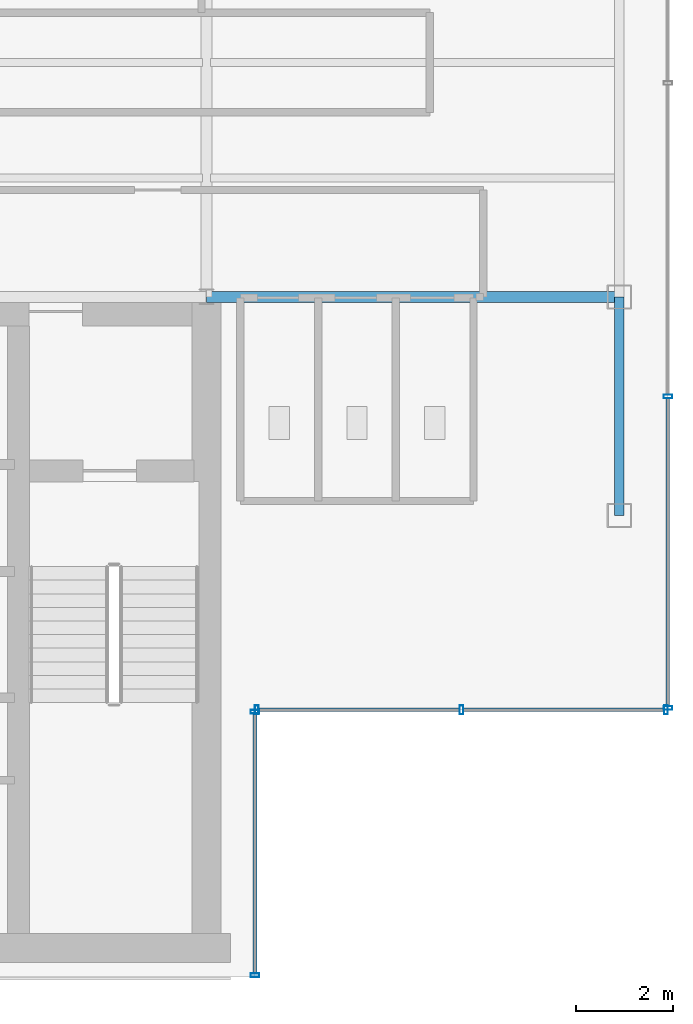
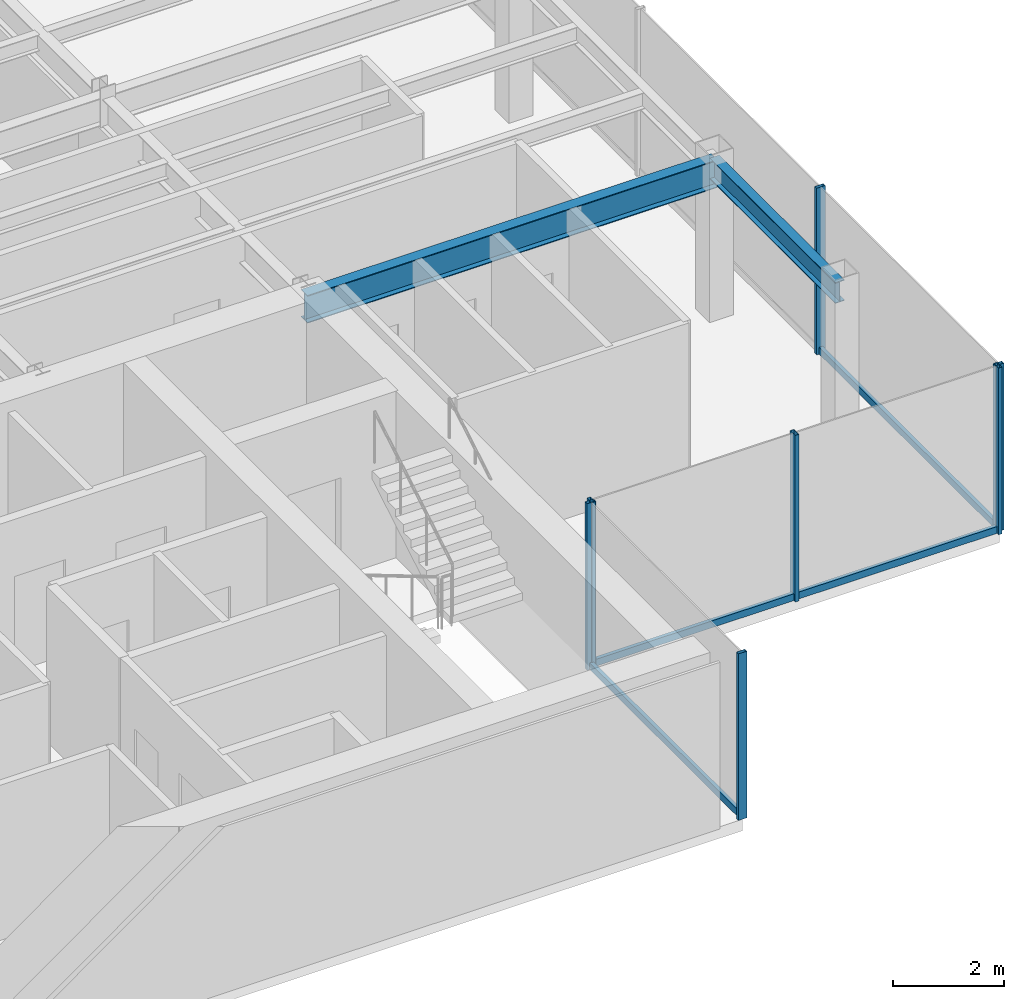
# One storey, part 9 of 22: 11 members, 2 beams, 3 elements without a shape of their own.
"""IFC4 building model written with IfcOpenShell, lengths in metres."""

from ifc_helpers import new_model, si_unit, derived_unit, direction, frame, origin, origin_2d, place, context, subcontext, project, spatial, hollow_rectangle, i_section, extrude, source, transform, mapped, material, material_profile, profile_set, type_object, element, aggregate, save


model = new_model("IFC4")

# Units and contexts
model_context = context("Model", 3, precision=1e-05, world=origin(), true_north=direction((0.0, 1.0)))
body_context = subcontext(model_context, "Body", "Model", "MODEL_VIEW")
ifc_project = project(units=[si_unit("LENGTHUNIT", "METRE"), si_unit("AREAUNIT", "SQUARE_METRE"), si_unit("VOLUMEUNIT", "CUBIC_METRE"), si_unit("PLANEANGLEUNIT", "RADIAN"), si_unit("MASSUNIT", "GRAM", prefix="KILO"), derived_unit("THERMALTRANSMITTANCEUNIT", [(si_unit("POWERUNIT", "WATT"), 1), (si_unit("LENGTHUNIT", "METRE"), -2), (si_unit("THERMODYNAMICTEMPERATUREUNIT", "KELVIN"), -1)])], contexts=[model_context])

# Site, building, storey
site_placement = place(None, origin())
site = spatial("IfcSite", under=ifc_project, at=site_placement, CompositionType="ELEMENT")
building_placement = place(site_placement, origin())
building = spatial("IfcBuilding", under=site, at=building_placement, Name="Skarnbrae Concourse Arena and Tower", CompositionType="ELEMENT")
storey_placement = place(building_placement, frame((0.0, 0.0, 195.89990234375)))
storey = spatial("IfcBuildingStorey", under=building, at=storey_placement, Name="L50", CompositionType="ELEMENT", Elevation=195.89990234375)

# Beams
ifc_material_1 = material(Name="Steel CSA G40.21 350W", Category="steel")
ifc_material_profile_1 = material_profile(ifc_material_1, i_section(OverallWidth=0.22802734375, OverallDepth=0.60791015625, WebThickness=0.01123046875, FlangeThickness=0.017333984375, at=origin_2d()), Name="W610X113")
ifc_profile_set_1 = profile_set([ifc_material_profile_1], Name="Steel CSA G40.21 350W")
beam_type_1 = type_object("IfcBeamType", Name="BM-GIRD-W610X113", PredefinedType="BEAM", material=ifc_profile_set_1)
shared_shape_1 = source(origin(), body_context, "Body", "SweptSolid", [
    extrude(i_section(OverallWidth=0.22802734375, OverallDepth=0.60791015625, WebThickness=0.01123046875, FlangeThickness=0.017333984375, at=origin_2d()), origin(), (0.0, 0.0, 1.0), 8.5),
])
beam_1_placement = place(storey_placement, frame((33.5, 14.0, 3.09619140625), z_axis=(1.0, 0.0, 0.0), x_axis=(0.0, 1.0, 0.0)))
element("IfcBeam", 1, at=beam_1_placement, inside=storey, type_object=beam_type_1, Name="L50 Primary E-W girder Y14.0-6", PredefinedType="BEAM", context=body_context, shape_type="MappedRepresentation", body=[
    mapped(shared_shape_1, transform((0.0, 0.0, 0.0))),
])
ifc_material_profile_2 = material_profile(ifc_material_1, i_section(OverallWidth=0.19091796875, OverallDepth=0.4599609375, WebThickness=0.010009765625, FlangeThickness=0.01611328125, at=origin_2d()), Name="W460X82")
ifc_profile_set_2 = profile_set([ifc_material_profile_2], Name="Steel CSA G40.21 350W")
beam_type_2 = type_object("IfcBeamType", Name="BM-SPAN-W460X82", PredefinedType="SPANDREL", material=ifc_profile_set_2)
shared_shape_2 = source(origin(), body_context, "Body", "SweptSolid", [
    extrude(i_section(OverallWidth=0.19091796875, OverallDepth=0.4599609375, WebThickness=0.010009765625, FlangeThickness=0.01611328125, at=origin_2d()), origin(), (0.0, 0.0, 1.0), 4.5),
])
beam_2_placement = place(storey_placement, frame((42.0, 9.5, 3.170166015625), z_axis=(0.0, 1.0, 0.0), x_axis=(-1.0, 0.0, 0.0)))
element("IfcBeam", 2, at=beam_2_placement, inside=storey, type_object=beam_type_2, Name="L50 Perimeter spandrel X42.0-1", PredefinedType="SPANDREL", context=body_context, shape_type="MappedRepresentation", body=[
    mapped(shared_shape_2, transform((0.0, 0.0, 0.0))),
])

# Curtain wall, member
ifc_material_2 = material(Name="Bronze anodised aluminium 6063-T6", Category="aluminium")
curtain_wall_type = type_object("IfcCurtainWallType", Name="CW-SYS-05-HIGHZONE", PredefinedType="USERDEFINED", material=ifc_material_2)
curtain_wall_1_placement = place(storey_placement, origin())
curtain_wall_1 = element("IfcCurtainWall", 3, at=curtain_wall_1_placement, inside=storey, type_object=curtain_wall_type, Name="L50 Unitised curtain wall CW-L50-E02", ObjectType="UNITISED CURTAIN WALL", PredefinedType="USERDEFINED")
ifc_material_profile_3 = material_profile(ifc_material_2, hollow_rectangle(XDim=0.074951171875, YDim=0.14990234375, WallThickness=0.00390625, at=origin_2d()), Name="ALU-TRAN-75X150")
ifc_profile_set_3 = profile_set([ifc_material_profile_3], Name="Bronze anodised aluminium 6063-T6")
member_type_1 = type_object("IfcMemberType", Name="CWT-CW-05", PredefinedType="USERDEFINED", material=ifc_profile_set_3)
shared_shape_3 = source(origin(), body_context, "Body", "SweptSolid", [
    extrude(hollow_rectangle(XDim=0.074951171875, YDim=0.14990234375, WallThickness=0.00390625, at=origin_2d()), origin(), (0.0, 0.0, 1.0), 5.35009765625),
])
member_1_placement = place(storey_placement, frame((34.5, 0.074951171875, 0.0751953125), z_axis=(0.0, 1.0, 0.0), x_axis=(-1.0, 0.0, 0.0)))
member_1 = element("IfcMember", 4, at=member_1_placement, type_object=member_type_1, Name="CW-L50-E02 Transom 1", ObjectType="TRANSOM", PredefinedType="USERDEFINED", context=body_context, shape_type="MappedRepresentation", body=[
    mapped(shared_shape_3, transform((0.0, 0.0, 0.0))),
])

# Curtain wall, members
curtain_wall_2_placement = place(storey_placement, origin())
curtain_wall_2 = element("IfcCurtainWall", 5, at=curtain_wall_2_placement, inside=storey, type_object=curtain_wall_type, Name="L50 Unitised curtain wall CW-L50-E03", ObjectType="UNITISED CURTAIN WALL", PredefinedType="USERDEFINED")
shared_shape_4 = source(origin(), body_context, "Body", "SweptSolid", [
    extrude(hollow_rectangle(XDim=0.074951171875, YDim=0.14990234375, WallThickness=0.00390625, at=origin_2d()), origin(), (0.0, 0.0, 1.0), 4.137451171875),
])
member_2_placement = place(storey_placement, frame((34.574951171875, 5.5, 0.0751953125), z_axis=(1.0, 0.0, 0.0), x_axis=(0.0, 1.0, 0.0)))
member_2 = element("IfcMember", 6, at=member_2_placement, type_object=member_type_1, Name="CW-L50-E03 Transom 1", ObjectType="TRANSOM", PredefinedType="USERDEFINED", context=body_context, shape_type="MappedRepresentation", body=[
    mapped(shared_shape_4, transform((0.0, 0.0, 0.0))),
])
member_3_placement = place(storey_placement, frame((38.78759765625, 5.5, 0.0751953125), z_axis=(1.0, 0.0, 0.0), x_axis=(0.0, 1.0, 0.0)))
member_3 = element("IfcMember", 7, at=member_3_placement, type_object=member_type_1, Name="CW-L50-E03 Transom 2", ObjectType="TRANSOM", PredefinedType="USERDEFINED", context=body_context, shape_type="MappedRepresentation", body=[
    mapped(shared_shape_4, transform((0.0, 0.0, 0.0))),
])

# Curtain wall, member
curtain_wall_3_placement = place(storey_placement, origin())
curtain_wall_3 = element("IfcCurtainWall", 8, at=curtain_wall_3_placement, inside=storey, type_object=curtain_wall_type, Name="L50 Unitised curtain wall CW-L50-E04", ObjectType="UNITISED CURTAIN WALL", PredefinedType="USERDEFINED")
shared_shape_5 = source(origin(), body_context, "Body", "SweptSolid", [
    extrude(hollow_rectangle(XDim=0.074951171875, YDim=0.14990234375, WallThickness=0.00390625, at=origin_2d()), origin(), (0.0, 0.0, 1.0), 6.337646484375),
])
member_4_placement = place(storey_placement, frame((43.0, 5.574951171875, 0.0751953125), z_axis=(0.0, 1.0, 0.0), x_axis=(-1.0, 0.0, 0.0)))
member_4 = element("IfcMember", 9, at=member_4_placement, type_object=member_type_1, Name="CW-L50-E04 Transom 1", ObjectType="TRANSOM", PredefinedType="USERDEFINED", context=body_context, shape_type="MappedRepresentation", body=[
    mapped(shared_shape_5, transform((0.0, 0.0, 0.0))),
])

# Member
ifc_material_profile_4 = material_profile(ifc_material_2, hollow_rectangle(XDim=0.074951171875, YDim=0.179931640625, WallThickness=0.00390625, at=origin_2d()), Name="ALU-MULL-75X180")
ifc_profile_set_4 = profile_set([ifc_material_profile_4], Name="Bronze anodised aluminium 6063-T6")
member_type_2 = type_object("IfcMemberType", Name="CWM-CW-05", PredefinedType="MULLION", material=ifc_profile_set_4)
shared_shape_6 = source(origin(), body_context, "Body", "SweptSolid", [
    extrude(hollow_rectangle(XDim=0.074951171875, YDim=0.179931640625, WallThickness=0.00390625, at=origin_2d()), origin(), (0.0, 0.0, 1.0), 3.650146484375),
])
member_5_placement = place(storey_placement, frame((34.5, 0.03759765625, 0.0), z_axis=(0.0, 0.0, 1.0), x_axis=(0.0, 1.0, 0.0)))
member_5 = element("IfcMember", 10, at=member_5_placement, type_object=member_type_2, Name="CW-L50-E02 Mullion 1", PredefinedType="MULLION", context=body_context, shape_type="MappedRepresentation", body=[
    mapped(shared_shape_6, transform((0.0, 0.0, 0.0))),
])

member_6_placement = place(storey_placement, frame((34.5, 5.46240234375, 0.0), z_axis=(0.0, 0.0, 1.0), x_axis=(0.0, 1.0, 0.0)))
member_6 = element("IfcMember", 11, at=member_6_placement, type_object=member_type_2, Name="CW-L50-E02 Mullion 2", PredefinedType="MULLION", context=body_context, shape_type="MappedRepresentation", body=[
    mapped(shared_shape_6, transform((0.0, 0.0, 0.0))),
])

aggregate(curtain_wall_1, [member_5, member_6, member_1])

member_7_placement = place(storey_placement, frame((34.53759765625, 5.5, 0.0), z_axis=(0.0, 0.0, 1.0), x_axis=(1.0, 0.0, 0.0)))
member_7 = element("IfcMember", 12, at=member_7_placement, type_object=member_type_2, Name="CW-L50-E03 Mullion 1", PredefinedType="MULLION", context=body_context, shape_type="MappedRepresentation", body=[
    mapped(shared_shape_6, transform((0.0, 0.0, 0.0))),
])

member_8_placement = place(storey_placement, frame((38.75, 5.5, 0.0), z_axis=(0.0, 0.0, 1.0), x_axis=(1.0, 0.0, 0.0)))
member_8 = element("IfcMember", 13, at=member_8_placement, type_object=member_type_2, Name="CW-L50-E03 Mullion 2", PredefinedType="MULLION", context=body_context, shape_type="MappedRepresentation", body=[
    mapped(shared_shape_6, transform((0.0, 0.0, 0.0))),
])

member_9_placement = place(storey_placement, frame((42.96240234375, 5.5, 0.0), z_axis=(0.0, 0.0, 1.0), x_axis=(1.0, 0.0, 0.0)))
member_9 = element("IfcMember", 14, at=member_9_placement, type_object=member_type_2, Name="CW-L50-E03 Mullion 3", PredefinedType="MULLION", context=body_context, shape_type="MappedRepresentation", body=[
    mapped(shared_shape_6, transform((0.0, 0.0, 0.0))),
])

aggregate(curtain_wall_2, [member_7, member_8, member_9, member_2, member_3])

member_10_placement = place(storey_placement, frame((43.0, 5.53759765625, 0.0), z_axis=(0.0, 0.0, 1.0), x_axis=(0.0, 1.0, 0.0)))
member_10 = element("IfcMember", 15, at=member_10_placement, type_object=member_type_2, Name="CW-L50-E04 Mullion 1", PredefinedType="MULLION", context=body_context, shape_type="MappedRepresentation", body=[
    mapped(shared_shape_6, transform((0.0, 0.0, 0.0))),
])

member_11_placement = place(storey_placement, frame((43.0, 11.949951171875, 0.0), z_axis=(0.0, 0.0, 1.0), x_axis=(0.0, 1.0, 0.0)))
member_11 = element("IfcMember", 16, at=member_11_placement, type_object=member_type_2, Name="CW-L50-E04 Mullion 2", PredefinedType="MULLION", context=body_context, shape_type="MappedRepresentation", body=[
    mapped(shared_shape_6, transform((0.0, 0.0, 0.0))),
])

aggregate(curtain_wall_3, [member_10, member_11, member_4])

save(model, "model.ifc")
